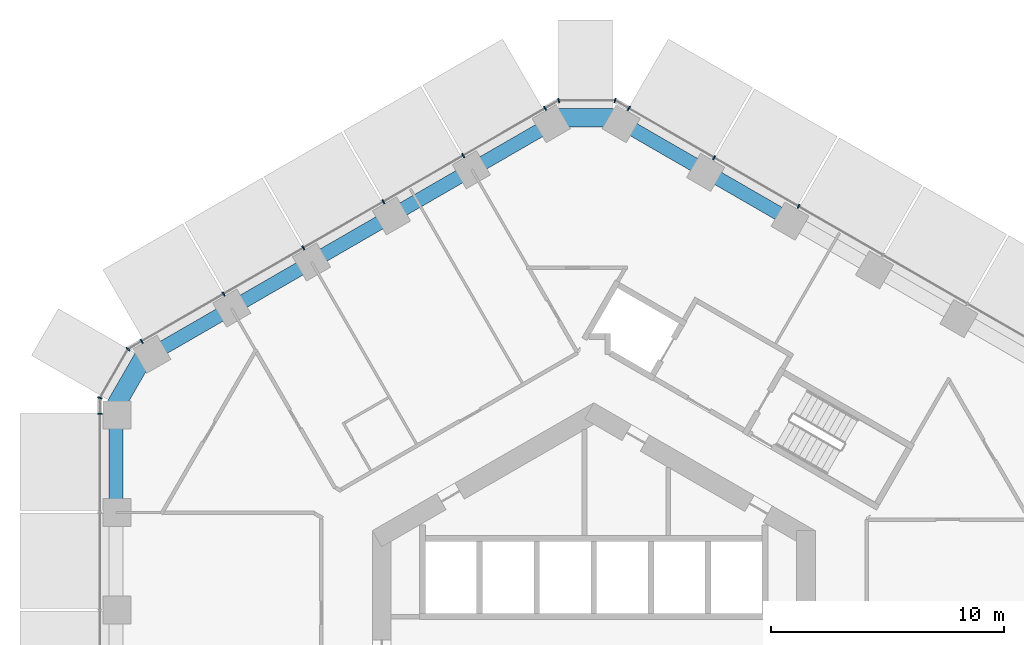
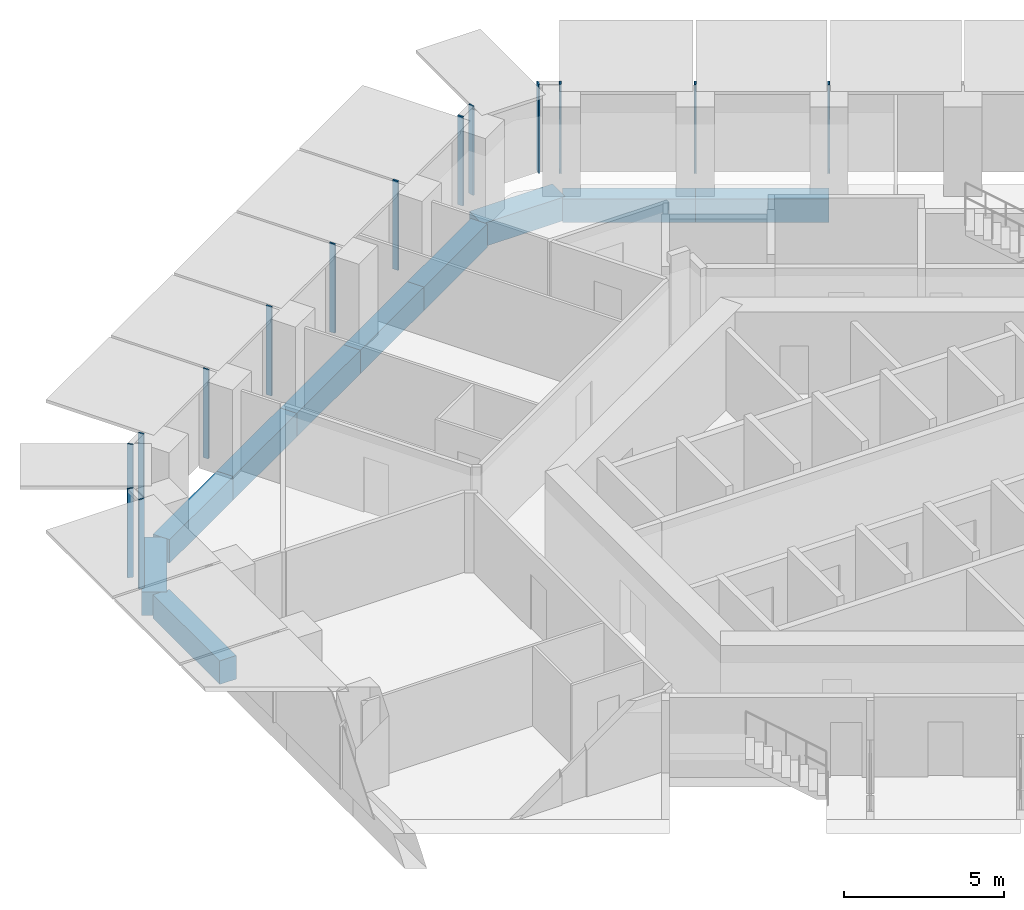
# One storey, part 5 of 19: 14 members, 10 beams, 5 elements without a shape of their own.
"""IFC4 building model written with IfcOpenShell, lengths in metres."""

from ifc_helpers import new_model, si_unit, direction, frame, origin, origin_2d, place, context, subcontext, project, spatial, rectangle, extrude, material, layer, layer_set, material_profile, profile_set, type_object, element, aggregate, save


model = new_model("IFC4")

# Units and contexts
model_context = context("Model", 3, precision=1e-05, world=origin(), true_north=direction((0.0, 1.0)))
body_context = subcontext(model_context, "Body", "Model", "MODEL_VIEW")
ifc_project = project(units=[si_unit("LENGTHUNIT", "METRE"), si_unit("AREAUNIT", "SQUARE_METRE"), si_unit("VOLUMEUNIT", "CUBIC_METRE"), si_unit("PLANEANGLEUNIT", "RADIAN"), si_unit("MASSUNIT", "GRAM", prefix="KILO")], contexts=[model_context])

# Site, building, storey
site_placement = place(None, origin())
site = spatial("IfcSite", under=ifc_project, at=site_placement, CompositionType="ELEMENT")
building_placement = place(site_placement, origin())
building = spatial("IfcBuilding", under=site, at=building_placement, Name="Ayvan Gate Tower", CompositionType="ELEMENT")
storey_placement = place(building_placement, frame((0.0, 0.0, 42.5)))
storey = spatial("IfcBuildingStorey", under=building, at=storey_placement, Name="L10", CompositionType="ELEMENT", Elevation=42.5)

# Beams
ifc_material_1 = material(Name="Concrete C40/50", Category="concrete")
ifc_material_profile_1 = material_profile(ifc_material_1, rectangle(XDim=0.800048828125, YDim=0.89990234375, at=origin_2d()), Name="RC 800x900")
ifc_profile_set_1 = profile_set([ifc_material_profile_1], Name="Concrete C40/50")
beam_type_1 = type_object("IfcBeamType", Name="Corner spandrel beam RC 800x900 C40/50", PredefinedType="BEAM", material=ifc_profile_set_1)
for number, where, z_axis, x_axis, name in (
    (1, (1.21728515625, 23.190673828125, -0.800048828125), (-1.0, 0.0, 0.0), (0.0, -1.0, 0.0), "SB-L10-12"),
    (2, (-19.1923828125, 13.139404296875, -0.800048828125), (-0.499990139034, -0.866031096941, 0.0), (0.866031096941, -0.499990139034, 0.0), "SB-L10-18"),
):
    element("IfcBeam", number, at=place(storey_placement, frame(where, z_axis=z_axis, x_axis=x_axis)), inside=storey, type_object=beam_type_1, Name=name, PredefinedType="BEAM", context=body_context, shape_type="SweptSolid", body=[
        extrude(rectangle(XDim=0.800048828125, YDim=0.89990234375, at=origin_2d()), origin(), (0.0, 0.0, 1.0), 3.0),
    ])
ifc_material_profile_2 = material_profile(ifc_material_1, rectangle(XDim=0.60009765625, YDim=0.89990234375, at=origin_2d()), Name="RC 600x900")
ifc_profile_set_2 = profile_set([ifc_material_profile_2], Name="Concrete C40/50")
beam_type_2 = type_object("IfcBeamType", Name="Spandrel beam RC 600x900 C40/50", PredefinedType="BEAM", material=ifc_profile_set_2)
beam_1_placement = place(storey_placement, frame((8.444091796875, 18.79833984375, -0.800048828125), z_axis=(-0.866019930389, 0.500009480079, 0.0), x_axis=(-0.500009480079, -0.866019930389, 0.0)))
element("IfcBeam", 3, at=beam_1_placement, inside=storey, type_object=beam_type_2, Name="SB-L10-10", PredefinedType="BEAM", context=body_context, shape_type="SweptSolid", body=[
    extrude(rectangle(XDim=0.60009765625, YDim=0.89990234375, at=origin_2d()), origin(), (0.0, 0.0, 1.0), 4.17236328125),
])
beam_2_placement = place(storey_placement, frame((4.830810546875, 20.884521484375, -0.800048828125), z_axis=(-0.866034558547, 0.499984143151, 0.0), x_axis=(-0.499984143151, -0.866034558547, 0.0)))
element("IfcBeam", 4, at=beam_2_placement, inside=storey, type_object=beam_type_2, Name="SB-L10-11", PredefinedType="BEAM", context=body_context, shape_type="SweptSolid", body=[
    extrude(rectangle(XDim=0.60009765625, YDim=0.89990234375, at=origin_2d()), origin(), (0.0, 0.0, 1.0), 4.172607421875),
])
for number, where, z_axis, x_axis, name in (
    (5, (-1.78271484375, 22.970703125, -0.800048828125), (-0.866028139243, -0.499995262016, 0.0), (0.499995262016, -0.866028139243, 0.0), "SB-L10-13"),
    (6, (-5.2265625, 20.982421875, -0.800048828125), (-0.866028139243, -0.499995262016, 0.0), (0.499995262016, -0.866028139243, 0.0), "SB-L10-14"),
    (7, (-8.67041015625, 18.994140625, -0.800048828125), (-0.866028139243, -0.499995262016, 0.0), (0.499995262016, -0.866028139243, 0.0), "SB-L10-15"),
    (8, (-12.1142578125, 17.005859375, -0.800048828125), (-0.866028139243, -0.499995262016, 0.0), (0.499995262016, -0.866028139243, 0.0), "SB-L10-16"),
    (9, (-15.55810546875, 15.017578125, -0.800048828125), (-0.866028139243, -0.499995262016, 0.0), (0.499995262016, -0.866028139243, 0.0), "SB-L10-17"),
):
    element("IfcBeam", number, at=place(storey_placement, frame(where, z_axis=z_axis, x_axis=x_axis)), inside=storey, type_object=beam_type_2, Name=name, PredefinedType="BEAM", context=body_context, shape_type="SweptSolid", body=[
        extrude(rectangle(XDim=0.60009765625, YDim=0.89990234375, at=origin_2d()), origin(), (0.0, 0.0, 1.0), 3.9765625),
    ])
beam_3_placement = place(storey_placement, frame((-20.501953125, 10.43115234375, -0.800048828125), z_axis=(0.0, -1.0, 0.0), x_axis=(1.0, 0.0, 0.0)))
element("IfcBeam", 10, at=beam_3_placement, inside=storey, type_object=beam_type_2, Name="SB-L10-19", PredefinedType="BEAM", context=body_context, shape_type="SweptSolid", body=[
    extrude(rectangle(XDim=0.60009765625, YDim=0.89990234375, at=origin_2d()), origin(), (0.0, 0.0, 1.0), 4.17236328125),
])

# Curtain wall, members
ifc_material_2 = material(Name="Bronze anodised aluminium", Category="aluminium")
ifc_layer_1 = layer(ifc_material_2, 0.199951171875)
ifc_layer_set_1 = layer_set([ifc_layer_1], Name="Bronze anodised aluminium")
curtain_wall_type_1 = type_object("IfcCurtainWallType", Name="Stick curtain wall CW-1", PredefinedType="NOTDEFINED", material=ifc_layer_set_1)
curtain_wall_1_placement = place(storey_placement, origin())
curtain_wall_1 = element("IfcCurtainWall", 11, at=curtain_wall_1_placement, inside=storey, type_object=curtain_wall_type_1, Name="Stick curtain wall CW-1 L10", PredefinedType="NOTDEFINED")
ifc_material_profile_3 = material_profile(ifc_material_2, rectangle(XDim=0.199951171875, YDim=0.06005859375, at=origin_2d()), Name="Stick curtain wall CW-1 mullion 200 x 60")
ifc_profile_set_3 = profile_set([ifc_material_profile_3], Name="Bronze anodised aluminium")
member_type_1 = type_object("IfcMemberType", Name="Stick curtain wall CW-1 mullion 200 x 60", PredefinedType="MULLION", material=ifc_profile_set_3)
member_1_placement = place(storey_placement, frame((-2.093017578125, 23.599853515625, 0.0), z_axis=(0.0, 0.0, 1.0), x_axis=(-0.5, 0.866025403784, 0.0)))
member_1 = element("IfcMember", 12, at=member_1_placement, type_object=member_type_1, Name="CW-1 mullion 1", PredefinedType="MULLION", context=body_context, shape_type="SweptSolid", body=[
    extrude(rectangle(XDim=0.199951171875, YDim=0.06005859375, at=origin_2d()), origin(), (0.0, 0.0, 1.0), 3.39990234375),
])
member_2_placement = place(storey_placement, frame((-5.60302734375, 21.573486328125, 0.0), z_axis=(0.0, 0.0, 1.0), x_axis=(-0.5, 0.866025403784, 0.0)))
member_2 = element("IfcMember", 13, at=member_2_placement, type_object=member_type_1, Name="CW-1 mullion 2", PredefinedType="MULLION", context=body_context, shape_type="SweptSolid", body=[
    extrude(rectangle(XDim=0.199951171875, YDim=0.06005859375, at=origin_2d()), origin(), (0.0, 0.0, 1.0), 3.39990234375),
])
member_3_placement = place(storey_placement, frame((-9.02880859375, 19.595458984375, 0.0), z_axis=(0.0, 0.0, 1.0), x_axis=(-0.5, 0.866025403784, 0.0)))
member_3 = element("IfcMember", 14, at=member_3_placement, type_object=member_type_1, Name="CW-1 mullion 3", PredefinedType="MULLION", context=body_context, shape_type="SweptSolid", body=[
    extrude(rectangle(XDim=0.199951171875, YDim=0.06005859375, at=origin_2d()), origin(), (0.0, 0.0, 1.0), 3.39990234375),
])
member_4_placement = place(storey_placement, frame((-12.455810546875, 17.616943359375, 0.0), z_axis=(0.0, 0.0, 1.0), x_axis=(-0.5, 0.866025403784, 0.0)))
member_4 = element("IfcMember", 15, at=member_4_placement, type_object=member_type_1, Name="CW-1 mullion 4", PredefinedType="MULLION", context=body_context, shape_type="SweptSolid", body=[
    extrude(rectangle(XDim=0.199951171875, YDim=0.06005859375, at=origin_2d()), origin(), (0.0, 0.0, 1.0), 3.39990234375),
])
member_5_placement = place(storey_placement, frame((-15.8818359375, 15.638916015625, 0.0), z_axis=(0.0, 0.0, 1.0), x_axis=(-0.5, 0.866025403784, 0.0)))
member_5 = element("IfcMember", 16, at=member_5_placement, type_object=member_type_1, Name="CW-1 mullion 5", PredefinedType="MULLION", context=body_context, shape_type="SweptSolid", body=[
    extrude(rectangle(XDim=0.199951171875, YDim=0.06005859375, at=origin_2d()), origin(), (0.0, 0.0, 1.0), 3.39990234375),
])
member_6_placement = place(storey_placement, frame((-19.3916015625, 13.612548828125, 0.0), z_axis=(0.0, 0.0, 1.0), x_axis=(-0.5, 0.866025403784, 0.0)))
member_6 = element("IfcMember", 17, at=member_6_placement, type_object=member_type_1, Name="CW-1 mullion 6", PredefinedType="MULLION", context=body_context, shape_type="SweptSolid", body=[
    extrude(rectangle(XDim=0.199951171875, YDim=0.06005859375, at=origin_2d()), origin(), (0.0, 0.0, 1.0), 3.39990234375),
])
aggregate(curtain_wall_1, [member_1, member_2, member_3, member_4, member_5, member_6])

# Curtain wall, member
curtain_wall_2_placement = place(storey_placement, origin())
curtain_wall_2 = element("IfcCurtainWall", 18, at=curtain_wall_2_placement, inside=storey, type_object=curtain_wall_type_1, Name="Stick curtain wall CW-1 L10", PredefinedType="NOTDEFINED")
member_7_placement = place(storey_placement, frame((-21.18798828125, 10.50146484375, 0.0), z_axis=(0.0, 0.0, 1.0), x_axis=(-1.0, 0.0, 0.0)))
member_7 = element("IfcMember", 19, at=member_7_placement, type_object=member_type_1, Name="CW-1 mullion 1", PredefinedType="MULLION", context=body_context, shape_type="SweptSolid", body=[
    extrude(rectangle(XDim=0.199951171875, YDim=0.06005859375, at=origin_2d()), origin(), (0.0, 0.0, 1.0), 3.39990234375),
])
aggregate(curtain_wall_2, [member_7])

# Curtain wall, members
curtain_wall_3_placement = place(storey_placement, origin())
curtain_wall_3 = element("IfcCurtainWall", 20, at=curtain_wall_3_placement, inside=storey, type_object=curtain_wall_type_1, Name="Stick curtain wall CW-1 L10", PredefinedType="NOTDEFINED")
member_8_placement = place(storey_placement, frame((8.782470703125, 19.39501953125, 0.0), z_axis=(0.0, 0.0, 1.0), x_axis=(0.5, 0.866025403784, 0.0)))
member_8 = element("IfcMember", 21, at=member_8_placement, type_object=member_type_1, Name="CW-1 mullion 4", PredefinedType="MULLION", context=body_context, shape_type="SweptSolid", body=[
    extrude(rectangle(XDim=0.199951171875, YDim=0.06005859375, at=origin_2d()), origin(), (0.0, 0.0, 1.0), 3.39990234375),
])
member_9_placement = place(storey_placement, frame((5.160888671875, 21.486083984375, 0.0), z_axis=(0.0, 0.0, 1.0), x_axis=(0.5, 0.866025403784, 0.0)))
member_9 = element("IfcMember", 22, at=member_9_placement, type_object=member_type_1, Name="CW-1 mullion 5", PredefinedType="MULLION", context=body_context, shape_type="SweptSolid", body=[
    extrude(rectangle(XDim=0.199951171875, YDim=0.06005859375, at=origin_2d()), origin(), (0.0, 0.0, 1.0), 3.39990234375),
])
member_10_placement = place(storey_placement, frame((1.49951171875, 23.599853515625, 0.0), z_axis=(0.0, 0.0, 1.0), x_axis=(0.5, 0.866025403784, 0.0)))
member_10 = element("IfcMember", 23, at=member_10_placement, type_object=member_type_1, Name="CW-1 mullion 6", PredefinedType="MULLION", context=body_context, shape_type="SweptSolid", body=[
    extrude(rectangle(XDim=0.199951171875, YDim=0.06005859375, at=origin_2d()), origin(), (0.0, 0.0, 1.0), 3.39990234375),
])
aggregate(curtain_wall_3, [member_8, member_9, member_10])

ifc_layer_2 = layer(ifc_material_2, 0.199951171875)
ifc_layer_set_2 = layer_set([ifc_layer_2], Name="Bronze anodised aluminium")
curtain_wall_type_2 = type_object("IfcCurtainWallType", Name="Stick curtain wall CW-6", PredefinedType="NOTDEFINED", material=ifc_layer_set_2)
curtain_wall_4_placement = place(storey_placement, origin())
curtain_wall_4 = element("IfcCurtainWall", 24, at=curtain_wall_4_placement, inside=storey, type_object=curtain_wall_type_2, Name="Stick curtain wall CW-6 L10", PredefinedType="NOTDEFINED")
ifc_material_profile_4 = material_profile(ifc_material_2, rectangle(XDim=0.199951171875, YDim=0.050048828125, at=origin_2d()), Name="Stick curtain wall CW-6 mullion 200 x 50")
ifc_profile_set_4 = profile_set([ifc_material_profile_4], Name="Bronze anodised aluminium")
member_type_2 = type_object("IfcMemberType", Name="Stick curtain wall CW-6 mullion 200 x 50", PredefinedType="MULLION", material=ifc_profile_set_4)
member_11_placement = place(storey_placement, frame((-19.980712890625, 13.2724609375, 0.0), z_axis=(0.0, 0.0, 1.0), x_axis=(-0.707106781187, 0.707106781187, 0.0)))
member_11 = element("IfcMember", 25, at=member_11_placement, type_object=member_type_2, Name="CW-6 mullion 2", PredefinedType="MULLION", context=body_context, shape_type="SweptSolid", body=[
    extrude(rectangle(XDim=0.199951171875, YDim=0.050048828125, at=origin_2d()), origin(), (0.0, 0.0, 1.0), 3.39990234375),
])
member_12_placement = place(storey_placement, frame((-21.18798828125, 11.181396484375, 0.0), z_axis=(0.0, 0.0, 1.0), x_axis=(-0.965925826289, 0.258819045103, 0.0)))
member_12 = element("IfcMember", 26, at=member_12_placement, type_object=member_type_2, Name="CW-6 mullion 3", PredefinedType="MULLION", context=body_context, shape_type="SweptSolid", body=[
    extrude(rectangle(XDim=0.199951171875, YDim=0.050048828125, at=origin_2d()), origin(), (0.0, 0.0, 1.0), 3.39990234375),
])
aggregate(curtain_wall_4, [member_11, member_12])

curtain_wall_5_placement = place(storey_placement, origin())
curtain_wall_5 = element("IfcCurtainWall", 27, at=curtain_wall_5_placement, inside=storey, type_object=curtain_wall_type_2, Name="Stick curtain wall CW-6 L10", PredefinedType="NOTDEFINED")
member_13_placement = place(storey_placement, frame((0.91064453125, 23.93994140625, 0.0), z_axis=(0.0, 0.0, 1.0), x_axis=(0.258819045103, 0.965925826289, 0.0)))
member_13 = element("IfcMember", 28, at=member_13_placement, type_object=member_type_2, Name="CW-6 mullion 2", PredefinedType="MULLION", context=body_context, shape_type="SweptSolid", body=[
    extrude(rectangle(XDim=0.199951171875, YDim=0.050048828125, at=origin_2d()), origin(), (0.0, 0.0, 1.0), 3.39990234375),
])
member_14_placement = place(storey_placement, frame((-1.50390625, 23.93994140625, 0.0), z_axis=(0.0, 0.0, 1.0), x_axis=(-0.258819045103, 0.965925826289, 0.0)))
member_14 = element("IfcMember", 29, at=member_14_placement, type_object=member_type_2, Name="CW-6 mullion 3", PredefinedType="MULLION", context=body_context, shape_type="SweptSolid", body=[
    extrude(rectangle(XDim=0.199951171875, YDim=0.050048828125, at=origin_2d()), origin(), (0.0, 0.0, 1.0), 3.39990234375),
])
aggregate(curtain_wall_5, [member_13, member_14])

save(model, "model.ifc")
